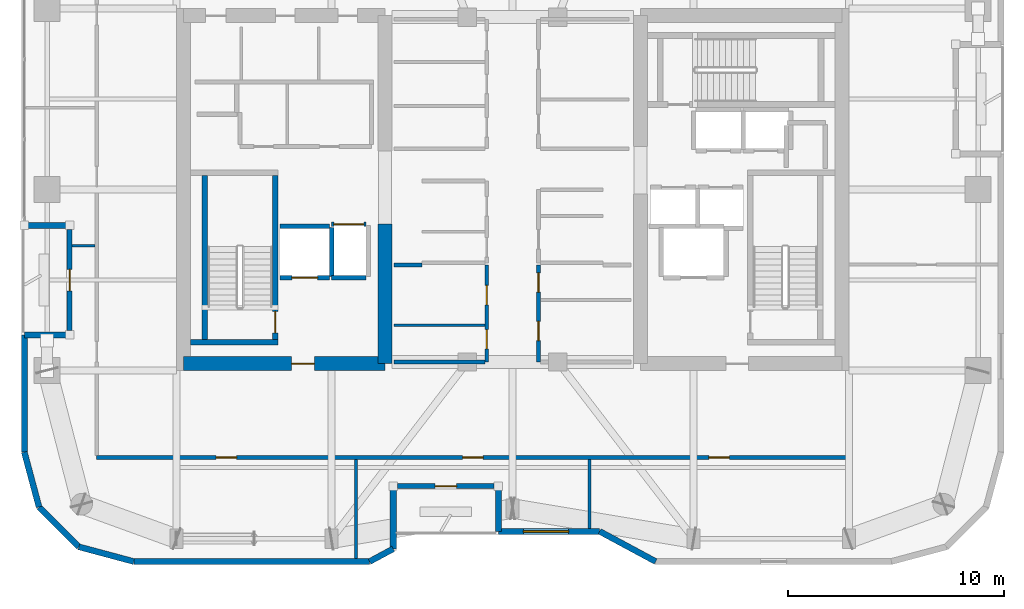
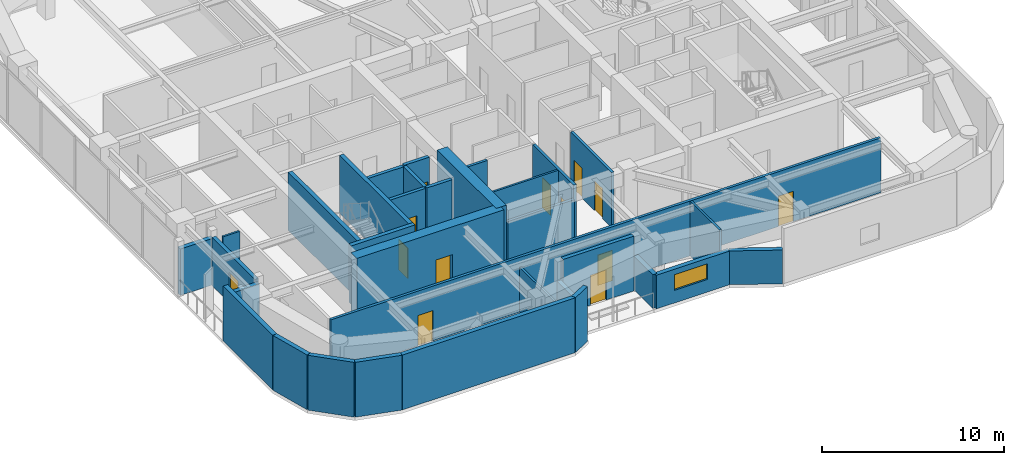
# One storey, part 15 of 21: 33 walls, 13 doors, 1 window, 14 openings.
"""IFC4 building model written with IfcOpenShell, lengths in metres."""

from ifc_helpers import new_model, si_unit, direction, frame, frame_2d, origin, place, context, subcontext, project, spatial, rectangle, extrude, material, layer, layer_set, type_object, element, fill, save


model = new_model("IFC4")

# Units and contexts
model_context = context("Model", 3, precision=1e-05, world=origin(), true_north=direction((0.0, 1.0)))
body_context = subcontext(model_context, "Body", "Model", "MODEL_VIEW")
ifc_project = project(units=[si_unit("LENGTHUNIT", "METRE"), si_unit("AREAUNIT", "SQUARE_METRE"), si_unit("VOLUMEUNIT", "CUBIC_METRE"), si_unit("PLANEANGLEUNIT", "RADIAN"), si_unit("MASSUNIT", "GRAM", prefix="KILO")], contexts=[model_context])

# Site, building, storey
site_placement = place(None, origin())
site = spatial("IfcSite", under=ifc_project, at=site_placement, CompositionType="ELEMENT")
building_placement = place(site_placement, origin())
building = spatial("IfcBuilding", under=site, at=building_placement, Name="Kiyonajd Concourse Tower", CompositionType="ELEMENT")
storey_placement = place(building_placement, frame((0.0, 0.0, 227.10009765625)))
storey = spatial("IfcBuildingStorey", under=building, at=storey_placement, Name="L57", CompositionType="ELEMENT", Elevation=227.10009765625)

# Wall
ifc_material_1 = material(Name="Concrete C60/75", Category="concrete")
ifc_layer_1 = layer(ifc_material_1, 0.64990234375)
ifc_layer_set_1 = layer_set([ifc_layer_1], Name="Concrete C60/75")
wall_type_1 = type_object("IfcWallType", Name="WL-CORE-650", PredefinedType="SHEAR", material=ifc_layer_set_1)
wall_1_placement = place(storey_placement, frame((42.074951171875, 27.925048828125, 0.0), z_axis=(0.0, 0.0, 1.0), x_axis=(0.0, 1.0, 0.0)))
element("IfcWall", 1, at=wall_1_placement, inside=storey, type_object=wall_type_1, Name="L57 West Core Inner South Shear Wall", PredefinedType="SHEAR", context=body_context, shape_type="SweptSolid", body=[
    extrude(rectangle(XDim=6.474853515625, YDim=0.64990234375, at=frame_2d((3.2373046875, 0.0))), origin(), (0.0, 0.0, 1.0), 3.89990234375),
])

# Wall, opening, door
wall_2_placement = place(storey_placement, frame((32.72509765625, 27.925048828125, 0.0), z_axis=(0.0, 0.0, 1.0), x_axis=(1.0, 0.0, 0.0)))
wall_2 = element("IfcWall", 2, at=wall_2_placement, inside=storey, type_object=wall_type_1, Name="L57 West Core South Shear Wall", PredefinedType="SHEAR", context=body_context, shape_type="SweptSolid", body=[
    extrude(rectangle(XDim=9.349853515625, YDim=0.64990234375, at=frame_2d((4.6748046875, 0.0))), origin(), (0.0, 0.0, 1.0), 3.89990234375),
])
opening_1_placement = place(wall_2_placement, frame((5.02490234375, 0.0, 0.0)))
opening_1 = element("IfcOpeningElement", 3, at=opening_1_placement, cuts=wall_2, Name="Opening DF5", PredefinedType="OPENING", context=body_context, shape_type="SweptSolid", body=[
    extrude(rectangle(XDim=1.050048828125, YDim=2.0400390625, at=frame_2d((0.52490234375, 1.02001953125))), frame((0.0, 0.3349609375, 0.0), z_axis=(0.0, -1.0, 0.0), x_axis=(1.0, 0.0, 0.0)), (0.0, 0.0, 1.0), 0.669921875),
])
ifc_material_2 = material(Name="Brushed Stainless Steel Cab Assembly", Category="steel")
door_type_1 = type_object("IfcDoorType", Name="DR-FD45-1050", OperationType="NOTDEFINED", PredefinedType="DOOR", material=ifc_material_2)
door_1_placement = place(opening_1_placement, origin())
door_1 = element("IfcDoor", 4, at=door_1_placement, inside=storey, type_object=door_type_1, Name="L57 Firefighting Lift Lobby W Smoke Door", OperationType="SINGLE_SWING_LEFT", OverallHeight=2.0400390625, OverallWidth=1.050048828125, PredefinedType="DOOR", context=body_context, shape_type="SweptSolid", body=[
    extrude(rectangle(XDim=1.050048828125, YDim=2.0400390625, at=frame_2d((0.52490234375, 1.02001953125))), frame((0.0, 0.02490234375, 0.0), z_axis=(0.0, -1.0, 0.0), x_axis=(1.0, 0.0, 0.0)), (0.0, 0.0, 1.0), 0.050048828125),
])
fill(opening_1, door_1)

# Walls
ifc_material_3 = material(Name="Precast concrete C50/60", Category="concrete")
ifc_layer_2 = layer(ifc_material_3, 0.280029296875)
ifc_layer_set_2 = layer_set([ifc_layer_2], Name="Precast concrete C50/60")
wall_type_2 = type_object("IfcWallType", Name="WL-EXT-280", PredefinedType="SOLIDWALL", material=ifc_layer_set_2)
wall_3_placement = place(storey_placement, frame((26.0224609375, 21.2724609375, 0.0), z_axis=(0.0, 0.0, 1.0), x_axis=(-0.2588904131, 0.965906700466, 0.0)))
element("IfcWall", 5, at=wall_3_placement, inside=storey, type_object=wall_type_2, Name="L57 Exterior Concrete Frame Wall 00", PredefinedType="SOLIDWALL", context=body_context, shape_type="SweptSolid", body=[
    extrude(rectangle(XDim=2.6357421875, YDim=0.280029296875, at=frame_2d((1.31787109375, 0.0))), origin(), (0.0, 0.0, 1.0), 3.679931640625),
])
wall_4_placement = place(storey_placement, frame((25.340087890625, 23.818359375, 0.0), z_axis=(0.0, 0.0, 1.0), x_axis=(0.0, 1.0, 0.0)))
element("IfcWall", 6, at=wall_4_placement, inside=storey, type_object=wall_type_2, Name="L57 Exterior Concrete Frame Wall 01", PredefinedType="SOLIDWALL", context=body_context, shape_type="SweptSolid", body=[
    extrude(rectangle(XDim=5.441650390625, YDim=0.280029296875, at=frame_2d((2.720703125, 0.0))), origin(), (0.0, 0.0, 1.0), 3.679931640625),
])
for number, where, z_axis, x_axis, name in (
    (7, (25.340087890625, 29.260009765625, 0.0), (0.0, 0.0, 1.0), (1.0, 0.0, 0.0), "L57 Exterior Concrete Frame Wall 02"),
    (8, (27.43994140625, 34.340087890625, 0.0), (0.0, 0.0, 1.0), (-1.0, 0.0, 0.0), "L57 Exterior Concrete Frame Wall 04"),
):
    element("IfcWall", number, at=place(storey_placement, frame(where, z_axis=z_axis, x_axis=x_axis)), inside=storey, type_object=wall_type_2, Name=name, PredefinedType="SOLIDWALL", context=body_context, shape_type="SweptSolid", body=[
        extrude(rectangle(XDim=2.099853515625, YDim=0.280029296875, at=frame_2d((1.0498046875, 0.0))), origin(), (0.0, 0.0, 1.0), 3.115966796875),
    ])
wall_5_placement = place(storey_placement, frame((54.63525390625, 18.739990234375, 0.0), z_axis=(0.0, 0.0, 1.0), x_axis=(-0.880473754814, 0.474094892488, 0.0)))
element("IfcWall", 9, at=wall_5_placement, inside=storey, type_object=wall_type_2, Name="L57 Exterior Concrete Frame Wall 29", PredefinedType="SOLIDWALL", context=body_context, shape_type="SweptSolid", body=[
    extrude(rectangle(XDim=2.952880859375, YDim=0.280029296875, at=frame_2d((1.4765625, 0.0))), origin(), (0.0, 0.0, 1.0), 2.264892578125),
])

# Wall, opening, window
wall_6_placement = place(storey_placement, frame((52.035400390625, 20.139892578125, 0.0), z_axis=(0.0, 0.0, 1.0), x_axis=(-1.0, 0.0, 0.0)))
wall_6 = element("IfcWall", 10, at=wall_6_placement, inside=storey, type_object=wall_type_2, Name="L57 Exterior Concrete Frame Wall 30", PredefinedType="SOLIDWALL", context=body_context, shape_type="SweptSolid", body=[
    extrude(rectangle(XDim=4.6953125, YDim=0.280029296875, at=frame_2d((2.34765625, 0.0))), origin(), (0.0, 0.0, 1.0), 2.264892578125),
])
opening_2_placement = place(wall_6_placement, frame((1.43505859375, 0.0, 0.85009765625)))
opening_2 = element("IfcOpeningElement", 11, at=opening_2_placement, cuts=wall_6, Name="Opening WN5", PredefinedType="OPENING", context=body_context, shape_type="SweptSolid", body=[
    extrude(rectangle(XDim=2.10009765625, YDim=1.050048828125, at=frame_2d((1.050048828125, 0.52490234375))), frame((0.0, 0.14990234375, 0.0), z_axis=(0.0, -1.0, 0.0), x_axis=(1.0, 0.0, 0.0)), (0.0, 0.0, 1.0), 0.300048828125),
])
ifc_material_4 = material(Name="Double Low-E Insulated Glass", Category="glass")
window_type = type_object("IfcWindowType", Name="WN-VIS-2100x1050", PartitioningType="SINGLE_PANEL", PredefinedType="WINDOW", material=ifc_material_4)
window_placement = place(opening_2_placement, origin())
window = element("IfcWindow", 12, at=window_placement, inside=storey, type_object=window_type, Name="L57 Modular Facade Vision Window 30", OverallHeight=1.050048828125, OverallWidth=2.10009765625, PartitioningType="SINGLE_PANEL", PredefinedType="WINDOW", context=body_context, shape_type="SweptSolid", body=[
    extrude(rectangle(XDim=2.10009765625, YDim=1.050048828125, at=frame_2d((1.050048828125, 0.52490234375))), frame((0.0, 0.030029296875, 0.0), z_axis=(0.0, -1.0, 0.0), x_axis=(1.0, 0.0, 0.0)), (0.0, 0.0, 1.0), 0.06005859375),
])
fill(opening_2, window)

# Walls
wall_7_placement = place(storey_placement, frame((47.340087890625, 20.139892578125, 0.0), z_axis=(0.0, 0.0, 1.0), x_axis=(0.0, 1.0, 0.0)))
element("IfcWall", 13, at=wall_7_placement, inside=storey, type_object=wall_type_2, Name="L57 Exterior Concrete Frame Wall 31", PredefinedType="SOLIDWALL", context=body_context, shape_type="SweptSolid", body=[
    extrude(rectangle(XDim=2.10009765625, YDim=0.280029296875, at=frame_2d((1.050048828125, 0.0))), origin(), (0.0, 0.0, 1.0), 2.264892578125),
])
wall_8_placement = place(storey_placement, frame((42.4599609375, 22.239990234375, 0.0), z_axis=(0.0, 0.0, 1.0), x_axis=(0.0, -1.0, 0.0)))
element("IfcWall", 14, at=wall_8_placement, inside=storey, type_object=wall_type_2, Name="L57 Exterior Concrete Frame Wall 33", PredefinedType="SOLIDWALL", context=body_context, shape_type="SweptSolid", body=[
    extrude(rectangle(XDim=2.910400390625, YDim=0.280029296875, at=frame_2d((1.455078125, 0.0))), origin(), (0.0, 0.0, 1.0), 2.264892578125),
])
wall_9_placement = place(storey_placement, frame((42.4599609375, 19.32958984375, 0.0), z_axis=(0.0, 0.0, 1.0), x_axis=(-0.880515214249, -0.474017887296, 0.0)))
element("IfcWall", 15, at=wall_9_placement, inside=storey, type_object=wall_type_2, Name="L57 Exterior Concrete Frame Wall 34", PredefinedType="SOLIDWALL", context=body_context, shape_type="SweptSolid", body=[
    extrude(rectangle(XDim=1.243896484375, YDim=0.280029296875, at=frame_2d((0.6220703125, 0.0))), origin(), (0.0, 0.0, 1.0), 3.679931640625),
])
wall_10_placement = place(storey_placement, frame((41.36474609375, 18.739990234375, 0.0), z_axis=(0.0, 0.0, 1.0), x_axis=(-1.0, 0.0, 0.0)))
element("IfcWall", 16, at=wall_10_placement, inside=storey, type_object=wall_type_2, Name="L57 Exterior Concrete Frame Wall 35", PredefinedType="SOLIDWALL", context=body_context, shape_type="SweptSolid", body=[
    extrude(rectangle(XDim=10.9462890625, YDim=0.280029296875, at=frame_2d((5.47314453125, 0.0))), origin(), (0.0, 0.0, 1.0), 3.679931640625),
])
wall_11_placement = place(storey_placement, frame((30.41845703125, 18.739990234375, 0.0), z_axis=(0.0, 0.0, 1.0), x_axis=(-0.965883534663, 0.258976828051, 0.0)))
element("IfcWall", 17, at=wall_11_placement, inside=storey, type_object=wall_type_2, Name="L57 Exterior Concrete Frame Wall 36", PredefinedType="SOLIDWALL", context=body_context, shape_type="SweptSolid", body=[
    extrude(rectangle(XDim=2.6357421875, YDim=0.280029296875, at=frame_2d((1.31787109375, 0.0))), origin(), (0.0, 0.0, 1.0), 3.679931640625),
])
wall_12_placement = place(storey_placement, frame((27.87255859375, 19.422607421875, 0.0), z_axis=(0.0, 0.0, 1.0), x_axis=(-0.707153437963, 0.707060121331, 0.0)))
element("IfcWall", 18, at=wall_12_placement, inside=storey, type_object=wall_type_2, Name="L57 Exterior Concrete Frame Wall 37", PredefinedType="SOLIDWALL", context=body_context, shape_type="SweptSolid", body=[
    extrude(rectangle(XDim=2.6162109375, YDim=0.280029296875, at=frame_2d((1.30810546875, 0.0))), origin(), (0.0, 0.0, 1.0), 3.679931640625),
])

# Wall, opening, door
ifc_layer_3 = layer(ifc_material_3, 0.239990234375)
ifc_layer_set_3 = layer_set([ifc_layer_3], Name="Precast concrete C50/60")
wall_type_3 = type_object("IfcWallType", Name="WL-LOG-240", PredefinedType="SOLIDWALL", material=ifc_layer_set_3)
wall_13_placement = place(storey_placement, frame((27.43994140625, 29.455078125, 0.0), z_axis=(0.0, 0.0, 1.0), x_axis=(0.0, 1.0, 0.0)))
wall_13 = element("IfcWall", 19, at=wall_13_placement, inside=storey, type_object=wall_type_3, Name="L57 Recessed Loggia Thermal Wall LOG-W", PredefinedType="SOLIDWALL", context=body_context, shape_type="SweptSolid", body=[
    extrude(rectangle(XDim=4.68994140625, YDim=0.239990234375, at=frame_2d((2.344970703125, 0.0))), origin(), (0.0, 0.0, 1.0), 3.247802734375),
])
opening_3_placement = place(wall_13_placement, frame((1.844970703125, 0.0, 0.0)))
opening_3 = element("IfcOpeningElement", 20, at=opening_3_placement, cuts=wall_13, Name="Opening DL1", PredefinedType="OPENING", context=body_context, shape_type="SweptSolid", body=[
    extrude(rectangle(XDim=1.0, YDim=2.02001953125, at=frame_2d((0.5, 1.010009765625))), frame((0.0, 0.1298828125, 0.0), z_axis=(0.0, -1.0, 0.0), x_axis=(1.0, 0.0, 0.0)), (0.0, 0.0, 1.0), 0.260009765625),
])
ifc_material_5 = material(Name="Thermally Broken Anodised Aluminium", Category="aluminium")
door_type_2 = type_object("IfcDoorType", Name="DR-LOG-1000", OperationType="NOTDEFINED", PredefinedType="DOOR", material=ifc_material_5)
door_2_placement = place(opening_3_placement, origin())
door_2 = element("IfcDoor", 21, at=door_2_placement, inside=storey, type_object=door_type_2, Name="L57 Engawa Loggia Access Door LOG-W", OperationType="SINGLE_SWING_LEFT", OverallHeight=2.02001953125, OverallWidth=1.0, PredefinedType="DOOR", context=body_context, shape_type="SweptSolid", body=[
    extrude(rectangle(XDim=1.0, YDim=2.02001953125, at=frame_2d((0.5, 1.010009765625))), frame((0.0, 0.02490234375, 0.0), z_axis=(0.0, -1.0, 0.0), x_axis=(1.0, 0.0, 0.0)), (0.0, 0.0, 1.0), 0.050048828125),
])
fill(opening_3, door_2)

wall_14_placement = place(storey_placement, frame((47.14501953125, 22.239990234375, 0.0), z_axis=(0.0, 0.0, 1.0), x_axis=(-1.0, 0.0, 0.0)))
wall_14 = element("IfcWall", 22, at=wall_14_placement, inside=storey, type_object=wall_type_3, Name="L57 Recessed Loggia Thermal Wall LOG-S", PredefinedType="SOLIDWALL", context=body_context, shape_type="SweptSolid", body=[
    extrude(rectangle(XDim=4.489990234375, YDim=0.239990234375, at=frame_2d((2.2451171875, 0.0))), origin(), (0.0, 0.0, 1.0), 3.679931640625),
])
opening_4_placement = place(wall_14_placement, frame((1.7451171875, 0.0, 0.0)))
opening_4 = element("IfcOpeningElement", 23, at=opening_4_placement, cuts=wall_14, Name="Opening DL1", PredefinedType="OPENING", context=body_context, shape_type="SweptSolid", body=[
    extrude(rectangle(XDim=1.0, YDim=2.02001953125, at=frame_2d((0.5, 1.010009765625))), frame((0.0, 0.1298828125, 0.0), z_axis=(0.0, -1.0, 0.0), x_axis=(1.0, 0.0, 0.0)), (0.0, 0.0, 1.0), 0.260009765625),
])
door_3_placement = place(opening_4_placement, origin())
door_3 = element("IfcDoor", 24, at=door_3_placement, inside=storey, type_object=door_type_2, Name="L57 Engawa Loggia Access Door LOG-S", OperationType="SINGLE_SWING_RIGHT", OverallHeight=2.02001953125, OverallWidth=1.0, PredefinedType="DOOR", context=body_context, shape_type="SweptSolid", body=[
    extrude(rectangle(XDim=1.0, YDim=2.02001953125, at=frame_2d((0.5, 1.010009765625))), frame((0.0, 0.02490234375, 0.0), z_axis=(0.0, -1.0, 0.0), x_axis=(1.0, 0.0, 0.0)), (0.0, 0.0, 1.0), 0.050048828125),
])
fill(opening_4, door_3)

# Walls
ifc_material_6 = material(Name="Gypsum Board on Cold-Formed Steel Stud", Category="steel")
ifc_layer_4 = layer(ifc_material_6, 0.125)
ifc_layer_set_4 = layer_set([ifc_layer_4], Name="Gypsum Board on Cold-Formed Steel Stud")
wall_type_4 = type_object("IfcWallType", Name="WL-PART-125", PredefinedType="PARTITIONING", material=ifc_layer_set_4)
wall_15_placement = place(storey_placement, frame((42.5, 29.7099609375, 0.0), z_axis=(0.0, 0.0, 1.0), x_axis=(1.0, 0.0, 0.0)))
element("IfcWall", 25, at=wall_15_placement, inside=storey, type_object=wall_type_4, Name="L57 Interior Partition Wall", PredefinedType="PARTITIONING", context=body_context, shape_type="SweptSolid", body=[
    extrude(rectangle(XDim=4.212890625, YDim=0.125, at=frame_2d((2.1064453125, 0.0))), origin(), (0.0, 0.0, 1.0), 3.679931640625),
])
wall_16_placement = place(storey_placement, frame((40.72998046875, 18.875, 0.0), z_axis=(0.0, 0.0, 1.0), x_axis=(0.0, 1.0, 0.0)))
element("IfcWall", 26, at=wall_16_placement, inside=storey, type_object=wall_type_4, Name="L57 Interior Partition Wall", PredefinedType="PARTITIONING", context=body_context, shape_type="SweptSolid", body=[
    extrude(rectangle(XDim=4.60791015625, YDim=0.125, at=frame_2d((2.303955078125, 0.0))), origin(), (0.0, 0.0, 1.0), 3.04296875),
])
wall_17_placement = place(storey_placement, frame((51.570068359375, 20.27490234375, 0.0), z_axis=(0.0, 0.0, 1.0), x_axis=(0.0, 1.0, 0.0)))
element("IfcWall", 27, at=wall_17_placement, inside=storey, type_object=wall_type_4, Name="L57 Interior Partition Wall", PredefinedType="PARTITIONING", context=body_context, shape_type="SweptSolid", body=[
    extrude(rectangle(XDim=3.2080078125, YDim=0.125, at=frame_2d((1.60400390625, 0.0))), origin(), (0.0, 0.0, 1.0), 3.679931640625),
])
wall_18_placement = place(storey_placement, frame((27.554931640625, 33.39990234375, 0.0), z_axis=(0.0, 0.0, 1.0), x_axis=(1.0, 0.0, 0.0)))
element("IfcWall", 28, at=wall_18_placement, inside=storey, type_object=wall_type_4, Name="L57 Interior Partition Wall", PredefinedType="PARTITIONING", context=body_context, shape_type="SweptSolid", body=[
    extrude(rectangle(XDim=1.05810546875, YDim=0.125, at=frame_2d((0.529052734375, 0.0))), origin(), (0.0, 0.0, 1.0), 3.679931640625),
])

# Wall, opening, door
ifc_layer_5 = layer(ifc_material_6, 0.2099609375)
ifc_layer_set_5 = layer_set([ifc_layer_5], Name="Gypsum Board on Cold-Formed Steel Stud")
wall_type_5 = type_object("IfcWallType", Name="WL-SHAFT-210", PredefinedType="PARTITIONING", material=ifc_layer_set_5)
wall_19_placement = place(storey_placement, frame((37.199951171875, 31.89990234375, 0.0), z_axis=(0.0, 0.0, 1.0), x_axis=(1.0, 0.0, 0.0)))
wall_19 = element("IfcWall", 29, at=wall_19_placement, inside=storey, type_object=wall_type_5, Name="L57 Shaft Enclosure Wall", PredefinedType="PARTITIONING", context=body_context, shape_type="SweptSolid", body=[
    extrude(rectangle(XDim=2.300048828125, YDim=0.2099609375, at=frame_2d((1.14990234375, 0.0))), origin(), (0.0, 0.0, 1.0), 3.679931640625),
])
opening_5_placement = place(wall_19_placement, frame((0.550048828125, 0.0, 0.0)))
opening_5 = element("IfcOpeningElement", 30, at=opening_5_placement, cuts=wall_19, Name="Opening LD2", PredefinedType="OPENING", context=body_context, shape_type="SweptSolid", body=[
    extrude(rectangle(XDim=1.199951171875, YDim=2.0400390625, at=frame_2d((0.60009765625, 1.02001953125))), frame((0.0, 0.114990234375, 0.0), z_axis=(0.0, -1.0, 0.0), x_axis=(1.0, 0.0, 0.0)), (0.0, 0.0, 1.0), 0.22998046875),
])
door_type_3 = type_object("IfcDoorType", Name="DR-LD-1200", OperationType="DOUBLE_DOOR_SLIDING", PredefinedType="DOOR", material=ifc_material_2)
door_4_placement = place(opening_5_placement, origin())
door_4 = element("IfcDoor", 31, at=door_4_placement, inside=storey, type_object=door_type_3, Name="L57 Lift FFL1 Sliding Landing Door", OperationType="DOUBLE_DOOR_SLIDING", OverallHeight=2.0400390625, OverallWidth=1.199951171875, PredefinedType="DOOR", context=body_context, shape_type="SweptSolid", body=[
    extrude(rectangle(XDim=1.199951171875, YDim=2.0400390625, at=frame_2d((0.60009765625, 1.02001953125))), frame((0.0, 0.02490234375, 0.0), z_axis=(0.0, -1.0, 0.0), x_axis=(1.0, 0.0, 0.0)), (0.0, 0.0, 1.0), 0.050048828125),
])
fill(opening_5, door_4)

# Walls
wall_20_placement = place(storey_placement, frame((37.199951171875, 34.300048828125, 0.0), z_axis=(0.0, 0.0, 1.0), x_axis=(1.0, 0.0, 0.0)))
element("IfcWall", 32, at=wall_20_placement, inside=storey, type_object=wall_type_5, Name="L57 Shaft Enclosure Wall", PredefinedType="PARTITIONING", context=body_context, shape_type="SweptSolid", body=[
    extrude(rectangle(XDim=2.300048828125, YDim=0.2099609375, at=frame_2d((1.14990234375, 0.0))), origin(), (0.0, 0.0, 1.0), 3.679931640625),
])
wall_21_placement = place(storey_placement, frame((39.60009765625, 31.9599609375, 0.0), z_axis=(0.0, 0.0, 1.0), x_axis=(0.0, 1.0, 0.0)))
element("IfcWall", 33, at=wall_21_placement, inside=storey, type_object=wall_type_5, Name="L57 Shaft Enclosure Wall", PredefinedType="PARTITIONING", context=body_context, shape_type="SweptSolid", body=[
    extrude(rectangle(XDim=2.280029296875, YDim=0.2099609375, at=frame_2d((1.14013671875, 0.0))), origin(), (0.0, 0.0, 1.0), 3.679931640625),
])

# Wall, opening, door
wall_22_placement = place(storey_placement, frame((39.60009765625, 34.39990234375, 0.0), z_axis=(0.0, 0.0, 1.0), x_axis=(1.0, 0.0, 0.0)))
wall_22 = element("IfcWall", 34, at=wall_22_placement, inside=storey, type_object=wall_type_5, Name="L57 Shaft Enclosure Wall", PredefinedType="PARTITIONING", context=body_context, shape_type="SweptSolid", body=[
    extrude(rectangle(XDim=1.599853515625, YDim=0.2099609375, at=frame_2d((0.7998046875, 0.0))), origin(), (0.0, 0.0, 1.0), 3.679931640625),
])
opening_6_placement = place(wall_22_placement, frame((0.10009765625, 0.0, 0.0)))
opening_6 = element("IfcOpeningElement", 35, at=opening_6_placement, cuts=wall_22, Name="Opening LD3", PredefinedType="OPENING", context=body_context, shape_type="SweptSolid", body=[
    extrude(rectangle(XDim=1.39990234375, YDim=2.06005859375, at=frame_2d((0.699951171875, 1.030029296875))), frame((0.0, 0.114990234375, 0.0), z_axis=(0.0, -1.0, 0.0), x_axis=(1.0, 0.0, 0.0)), (0.0, 0.0, 1.0), 0.22998046875),
])
door_type_4 = type_object("IfcDoorType", Name="DR-LD-1400", OperationType="DOUBLE_DOOR_SLIDING", PredefinedType="DOOR", material=ifc_material_2)
door_5_placement = place(opening_6_placement, origin())
door_5 = element("IfcDoor", 36, at=door_5_placement, inside=storey, type_object=door_type_4, Name="L57 Lift SVL1 Sliding Landing Door", OperationType="DOUBLE_DOOR_SLIDING", OverallHeight=2.06005859375, OverallWidth=1.39990234375, PredefinedType="DOOR", context=body_context, shape_type="SweptSolid", body=[
    extrude(rectangle(XDim=1.39990234375, YDim=2.06005859375, at=frame_2d((0.699951171875, 1.030029296875))), frame((0.0, 0.02490234375, 0.0), z_axis=(0.0, -1.0, 0.0), x_axis=(1.0, 0.0, 0.0)), (0.0, 0.0, 1.0), 0.050048828125),
])
fill(opening_6, door_5)

# Wall
wall_23_placement = place(storey_placement, frame((39.60009765625, 31.89990234375, 0.0), z_axis=(0.0, 0.0, 1.0), x_axis=(1.0, 0.0, 0.0)))
element("IfcWall", 37, at=wall_23_placement, inside=storey, type_object=wall_type_5, Name="L57 Shaft Enclosure Wall", PredefinedType="PARTITIONING", context=body_context, shape_type="SweptSolid", body=[
    extrude(rectangle(XDim=1.599853515625, YDim=0.2099609375, at=frame_2d((0.7998046875, 0.0))), origin(), (0.0, 0.0, 1.0), 3.679931640625),
])

# Wall, openings, doors
ifc_layer_6 = layer(ifc_material_6, 0.169921875)
ifc_layer_set_6 = layer_set([ifc_layer_6], Name="Gypsum Board on Cold-Formed Steel Stud")
wall_type_6 = type_object("IfcWallType", Name="WL-SMK-170", PredefinedType="PARTITIONING", material=ifc_layer_set_6)
wall_24_placement = place(storey_placement, frame((46.800048828125, 28.0, 0.0), z_axis=(0.0, 0.0, 1.0), x_axis=(0.0, 1.0, 0.0)))
wall_24 = element("IfcWall", 38, at=wall_24_placement, inside=storey, type_object=wall_type_6, Name="L57 Interior Partition Wall", PredefinedType="PARTITIONING", context=body_context, shape_type="SweptSolid", body=[
    extrude(rectangle(XDim=4.5, YDim=0.169921875, at=frame_2d((2.25, 0.0))), origin(), (0.0, 0.0, 1.0), 3.679931640625),
])
opening_7_placement = place(wall_24_placement, frame((0.60498046875, 0.0, 0.0)))
opening_7 = element("IfcOpeningElement", 39, at=opening_7_placement, cuts=wall_24, Name="Opening DI2", PredefinedType="OPENING", context=body_context, shape_type="SweptSolid", body=[
    extrude(rectangle(XDim=0.89990234375, YDim=2.02001953125, at=frame_2d((0.449951171875, 1.010009765625))), frame((0.0, 0.094970703125, 0.0), z_axis=(0.0, -1.0, 0.0), x_axis=(1.0, 0.0, 0.0)), (0.0, 0.0, 1.0), 0.18994140625),
])
opening_8_placement = place(wall_24_placement, frame((2.655029296875, 0.0, 0.0)))
opening_8 = element("IfcOpeningElement", 40, at=opening_8_placement, cuts=wall_24, Name="Opening DI2", PredefinedType="OPENING", context=body_context, shape_type="SweptSolid", body=[
    extrude(rectangle(XDim=0.89990234375, YDim=2.02001953125, at=frame_2d((0.449951171875, 1.010009765625))), frame((0.0, 0.094970703125, 0.0), z_axis=(0.0, -1.0, 0.0), x_axis=(1.0, 0.0, 0.0)), (0.0, 0.0, 1.0), 0.18994140625),
])
ifc_material_7 = material(Name="Natural Oak Acoustic Timber Veneer", Category="wood")
door_type_5 = type_object("IfcDoorType", Name="DR-INT-900", OperationType="NOTDEFINED", PredefinedType="DOOR", material=ifc_material_7)
door_6_placement = place(opening_7_placement, origin())
door_6 = element("IfcDoor", 41, at=door_6_placement, inside=storey, type_object=door_type_5, Name="L57 Interior Door", OperationType="SINGLE_SWING_LEFT", OverallHeight=2.02001953125, OverallWidth=0.89990234375, PredefinedType="DOOR", context=body_context, shape_type="SweptSolid", body=[
    extrude(rectangle(XDim=0.89990234375, YDim=2.02001953125, at=frame_2d((0.449951171875, 1.010009765625))), frame((0.0, 0.02490234375, 0.0), z_axis=(0.0, -1.0, 0.0), x_axis=(1.0, 0.0, 0.0)), (0.0, 0.0, 1.0), 0.050048828125),
])
fill(opening_7, door_6)
door_7_placement = place(opening_8_placement, origin())
door_7 = element("IfcDoor", 42, at=door_7_placement, inside=storey, type_object=door_type_5, Name="L57 Interior Door", OperationType="SINGLE_SWING_RIGHT", OverallHeight=2.02001953125, OverallWidth=0.89990234375, PredefinedType="DOOR", context=body_context, shape_type="SweptSolid", body=[
    extrude(rectangle(XDim=0.89990234375, YDim=2.02001953125, at=frame_2d((0.449951171875, 1.010009765625))), frame((0.0, 0.02490234375, 0.0), z_axis=(0.0, -1.0, 0.0), x_axis=(1.0, 0.0, 0.0)), (0.0, 0.0, 1.0), 0.050048828125),
])
fill(opening_8, door_7)

# Walls
wall_25_placement = place(storey_placement, frame((42.5, 28.0, 0.0), z_axis=(0.0, 0.0, 1.0), x_axis=(1.0, 0.0, 0.0)))
element("IfcWall", 43, at=wall_25_placement, inside=storey, type_object=wall_type_6, Name="L57 Interior Partition Wall", PredefinedType="PARTITIONING", context=body_context, shape_type="SweptSolid", body=[
    extrude(rectangle(XDim=4.212890625, YDim=0.169921875, at=frame_2d((2.1064453125, 0.0))), origin(), (0.0, 0.0, 1.0), 2.764892578125),
])
wall_26_placement = place(storey_placement, frame((42.5, 32.5, 0.0), z_axis=(0.0, 0.0, 1.0), x_axis=(1.0, 0.0, 0.0)))
element("IfcWall", 44, at=wall_26_placement, inside=storey, type_object=wall_type_6, Name="L57 Interior Partition Wall", PredefinedType="PARTITIONING", context=body_context, shape_type="SweptSolid", body=[
    extrude(rectangle(XDim=1.300048828125, YDim=0.169921875, at=frame_2d((0.64990234375, 0.0))), origin(), (0.0, 0.0, 1.0), 3.679931640625),
])

# Wall, openings, doors
wall_27_placement = place(storey_placement, frame((49.199951171875, 28.0, 0.0), z_axis=(0.0, 0.0, 1.0), x_axis=(0.0, 1.0, 0.0)))
wall_27 = element("IfcWall", 45, at=wall_27_placement, inside=storey, type_object=wall_type_6, Name="L57 Interior Partition Wall", PredefinedType="PARTITIONING", context=body_context, shape_type="SweptSolid", body=[
    extrude(rectangle(XDim=4.5, YDim=0.169921875, at=frame_2d((2.25, 0.0))), origin(), (0.0, 0.0, 1.0), 3.679931640625),
])
opening_9_placement = place(wall_27_placement, frame((0.989990234375, 0.0, 0.0)))
opening_9 = element("IfcOpeningElement", 46, at=opening_9_placement, cuts=wall_27, Name="Opening DF4", PredefinedType="OPENING", context=body_context, shape_type="SweptSolid", body=[
    extrude(rectangle(XDim=0.89990234375, YDim=2.02001953125, at=frame_2d((0.449951171875, 1.010009765625))), frame((0.0, 0.094970703125, 0.0), z_axis=(0.0, -1.0, 0.0), x_axis=(1.0, 0.0, 0.0)), (0.0, 0.0, 1.0), 0.18994140625),
])
opening_10_placement = place(wall_27_placement, frame((3.239990234375, 0.0, 0.0)))
opening_10 = element("IfcOpeningElement", 47, at=opening_10_placement, cuts=wall_27, Name="Opening DF4", PredefinedType="OPENING", context=body_context, shape_type="SweptSolid", body=[
    extrude(rectangle(XDim=0.89990234375, YDim=2.02001953125, at=frame_2d((0.449951171875, 1.010009765625))), frame((0.0, 0.094970703125, 0.0), z_axis=(0.0, -1.0, 0.0), x_axis=(1.0, 0.0, 0.0)), (0.0, 0.0, 1.0), 0.18994140625),
])
door_type_6 = type_object("IfcDoorType", Name="DR-FD60-900", OperationType="NOTDEFINED", PredefinedType="DOOR", material=ifc_material_2)
door_8_placement = place(opening_9_placement, origin())
door_8 = element("IfcDoor", 48, at=door_8_placement, inside=storey, type_object=door_type_6, Name="L57 Interior Door", OperationType="SINGLE_SWING_LEFT", OverallHeight=2.02001953125, OverallWidth=0.89990234375, PredefinedType="DOOR", context=body_context, shape_type="SweptSolid", body=[
    extrude(rectangle(XDim=0.89990234375, YDim=2.02001953125, at=frame_2d((0.449951171875, 1.010009765625))), frame((0.0, 0.02490234375, 0.0), z_axis=(0.0, -1.0, 0.0), x_axis=(1.0, 0.0, 0.0)), (0.0, 0.0, 1.0), 0.050048828125),
])
fill(opening_9, door_8)
door_9_placement = place(opening_10_placement, origin())
door_9 = element("IfcDoor", 49, at=door_9_placement, inside=storey, type_object=door_type_6, Name="L57 Interior Door", OperationType="SINGLE_SWING_RIGHT", OverallHeight=2.02001953125, OverallWidth=0.89990234375, PredefinedType="DOOR", context=body_context, shape_type="SweptSolid", body=[
    extrude(rectangle(XDim=0.89990234375, YDim=2.02001953125, at=frame_2d((0.449951171875, 1.010009765625))), frame((0.0, 0.02490234375, 0.0), z_axis=(0.0, -1.0, 0.0), x_axis=(1.0, 0.0, 0.0)), (0.0, 0.0, 1.0), 0.050048828125),
])
fill(opening_10, door_9)

wall_28_placement = place(storey_placement, frame((28.699951171875, 23.570068359375, 0.0), z_axis=(0.0, 0.0, 1.0), x_axis=(1.0, 0.0, 0.0)))
wall_28 = element("IfcWall", 50, at=wall_28_placement, inside=storey, type_object=wall_type_6, Name="L57 Interior Partition Wall", PredefinedType="PARTITIONING", context=body_context, shape_type="SweptSolid", body=[
    extrude(rectangle(XDim=34.900146484375, YDim=0.169921875, at=frame_2d((17.4501953125, 0.0))), origin(), (0.0, 0.0, 1.0), 3.679931640625),
])
opening_11_placement = place(wall_28_placement, frame((5.5400390625, 0.0, 0.0)))
opening_11 = element("IfcOpeningElement", 51, at=opening_11_placement, cuts=wall_28, Name="Opening DI1", PredefinedType="OPENING", context=body_context, shape_type="SweptSolid", body=[
    extrude(rectangle(XDim=0.949951171875, YDim=2.0400390625, at=frame_2d((0.47509765625, 1.02001953125))), frame((0.0, 0.094970703125, 0.0), z_axis=(0.0, -1.0, 0.0), x_axis=(1.0, 0.0, 0.0)), (0.0, 0.0, 1.0), 0.18994140625),
])
opening_12_placement = place(wall_28_placement, frame((16.97509765625, 0.0, 0.0)))
opening_12 = element("IfcOpeningElement", 52, at=opening_12_placement, cuts=wall_28, Name="Opening DI1", PredefinedType="OPENING", context=body_context, shape_type="SweptSolid", body=[
    extrude(rectangle(XDim=0.949951171875, YDim=2.0400390625, at=frame_2d((0.47509765625, 1.02001953125))), frame((0.0, 0.094970703125, 0.0), z_axis=(0.0, -1.0, 0.0), x_axis=(1.0, 0.0, 0.0)), (0.0, 0.0, 1.0), 0.18994140625),
])
opening_13_placement = place(wall_28_placement, frame((28.409912109375, 0.0, 0.0)))
opening_13 = element("IfcOpeningElement", 53, at=opening_13_placement, cuts=wall_28, Name="Opening DI1", PredefinedType="OPENING", context=body_context, shape_type="SweptSolid", body=[
    extrude(rectangle(XDim=0.949951171875, YDim=2.0400390625, at=frame_2d((0.47509765625, 1.02001953125))), frame((0.0, 0.094970703125, 0.0), z_axis=(0.0, -1.0, 0.0), x_axis=(1.0, 0.0, 0.0)), (0.0, 0.0, 1.0), 0.18994140625),
])
door_type_7 = type_object("IfcDoorType", Name="DR-INT-950", OperationType="NOTDEFINED", PredefinedType="DOOR", material=ifc_material_7)
door_10_placement = place(opening_11_placement, origin())
door_10 = element("IfcDoor", 54, at=door_10_placement, inside=storey, type_object=door_type_7, Name="L57 Interior Door", OperationType="SINGLE_SWING_RIGHT", OverallHeight=2.0400390625, OverallWidth=0.949951171875, PredefinedType="DOOR", context=body_context, shape_type="SweptSolid", body=[
    extrude(rectangle(XDim=0.949951171875, YDim=2.0400390625, at=frame_2d((0.47509765625, 1.02001953125))), frame((0.0, 0.02490234375, 0.0), z_axis=(0.0, -1.0, 0.0), x_axis=(1.0, 0.0, 0.0)), (0.0, 0.0, 1.0), 0.050048828125),
])
fill(opening_11, door_10)
door_11_placement = place(opening_12_placement, origin())
door_11 = element("IfcDoor", 55, at=door_11_placement, inside=storey, type_object=door_type_7, Name="L57 Interior Door", OperationType="SINGLE_SWING_LEFT", OverallHeight=2.0400390625, OverallWidth=0.949951171875, PredefinedType="DOOR", context=body_context, shape_type="SweptSolid", body=[
    extrude(rectangle(XDim=0.949951171875, YDim=2.0400390625, at=frame_2d((0.47509765625, 1.02001953125))), frame((0.0, 0.02490234375, 0.0), z_axis=(0.0, -1.0, 0.0), x_axis=(1.0, 0.0, 0.0)), (0.0, 0.0, 1.0), 0.050048828125),
])
fill(opening_12, door_11)
door_12_placement = place(opening_13_placement, origin())
door_12 = element("IfcDoor", 56, at=door_12_placement, inside=storey, type_object=door_type_7, Name="L57 Interior Door", OperationType="SINGLE_SWING_RIGHT", OverallHeight=2.0400390625, OverallWidth=0.949951171875, PredefinedType="DOOR", context=body_context, shape_type="SweptSolid", body=[
    extrude(rectangle(XDim=0.949951171875, YDim=2.0400390625, at=frame_2d((0.47509765625, 1.02001953125))), frame((0.0, 0.02490234375, 0.0), z_axis=(0.0, -1.0, 0.0), x_axis=(1.0, 0.0, 0.0)), (0.0, 0.0, 1.0), 0.050048828125),
])
fill(opening_13, door_12)

# Walls
ifc_material_8 = material(Name="Concrete C50/60", Category="concrete")
ifc_layer_7 = layer(ifc_material_8, 0.260009765625)
ifc_layer_set_7 = layer_set([ifc_layer_7], Name="Concrete C50/60")
wall_type_7 = type_object("IfcWallType", Name="WL-STAIR-260", PredefinedType="SHEAR", material=ifc_layer_set_7)
wall_29_placement = place(storey_placement, frame((33.050048828125, 28.919921875, 0.0), z_axis=(0.0, 0.0, 1.0), x_axis=(1.0, 0.0, 0.0)))
element("IfcWall", 57, at=wall_29_placement, inside=storey, type_object=wall_type_7, Name="L57 Stair ST1 Structural South Wall", PredefinedType="SHEAR", context=body_context, shape_type="SweptSolid", body=[
    extrude(rectangle(XDim=4.06005859375, YDim=0.260009765625, at=frame_2d((2.030029296875, 0.0))), origin(), (0.0, 0.0, 1.0), 3.89990234375),
])
wall_30_placement = place(storey_placement, frame((33.719970703125, 29.050048828125, 0.0), z_axis=(0.0, 0.0, 1.0), x_axis=(0.0, 1.0, 0.0)))
element("IfcWall", 58, at=wall_30_placement, inside=storey, type_object=wall_type_7, Name="L57 Stair ST1 Structural West Wall", PredefinedType="SHEAR", context=body_context, shape_type="SweptSolid", body=[
    extrude(rectangle(XDim=7.599853515625, YDim=0.260009765625, at=frame_2d((3.7998046875, 0.0))), origin(), (0.0, 0.0, 1.0), 3.89990234375),
])

# Wall, opening, door
wall_31_placement = place(storey_placement, frame((36.97998046875, 29.050048828125, 0.0), z_axis=(0.0, 0.0, 1.0), x_axis=(0.0, 1.0, 0.0)))
wall_31 = element("IfcWall", 59, at=wall_31_placement, inside=storey, type_object=wall_type_7, Name="L57 Stair ST1 Structural East Wall", PredefinedType="SHEAR", context=body_context, shape_type="SweptSolid", body=[
    extrude(rectangle(XDim=7.599853515625, YDim=0.260009765625, at=frame_2d((3.7998046875, 0.0))), origin(), (0.0, 0.0, 1.0), 3.89990234375),
])
opening_14_placement = place(wall_31_placement, frame((0.300048828125, 0.0, 0.0)))
opening_14 = element("IfcOpeningElement", 60, at=opening_14_placement, cuts=wall_31, Name="Opening DF1", PredefinedType="OPENING", context=body_context, shape_type="SweptSolid", body=[
    extrude(rectangle(XDim=1.0, YDim=2.0400390625, at=frame_2d((0.5, 1.02001953125))), frame((0.0, 0.139892578125, 0.0), z_axis=(0.0, -1.0, 0.0), x_axis=(1.0, 0.0, 0.0)), (0.0, 0.0, 1.0), 0.280029296875),
])
door_type_8 = type_object("IfcDoorType", Name="DR-FD90-1000", OperationType="NOTDEFINED", PredefinedType="DOOR", material=ifc_material_2)
door_13_placement = place(opening_14_placement, origin())
door_13 = element("IfcDoor", 61, at=door_13_placement, inside=storey, type_object=door_type_8, Name="L57 Stair ST1 FSAE Door", OperationType="SINGLE_SWING_LEFT", OverallHeight=2.0400390625, OverallWidth=1.0, PredefinedType="DOOR", context=body_context, shape_type="SweptSolid", body=[
    extrude(rectangle(XDim=1.0, YDim=2.0400390625, at=frame_2d((0.5, 1.02001953125))), frame((0.0, 0.02490234375, 0.0), z_axis=(0.0, -1.0, 0.0), x_axis=(1.0, 0.0, 0.0)), (0.0, 0.0, 1.0), 0.050048828125),
])
fill(opening_14, door_13)

save(model, "model.ifc")
